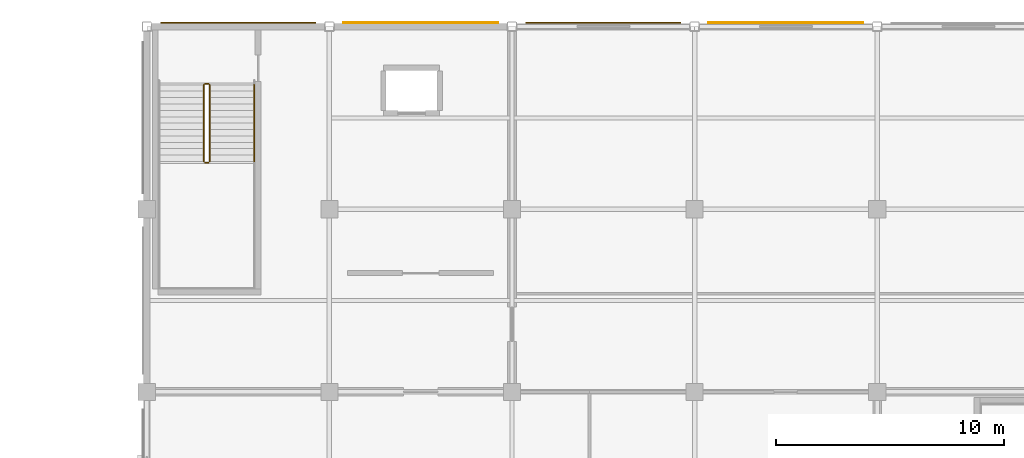
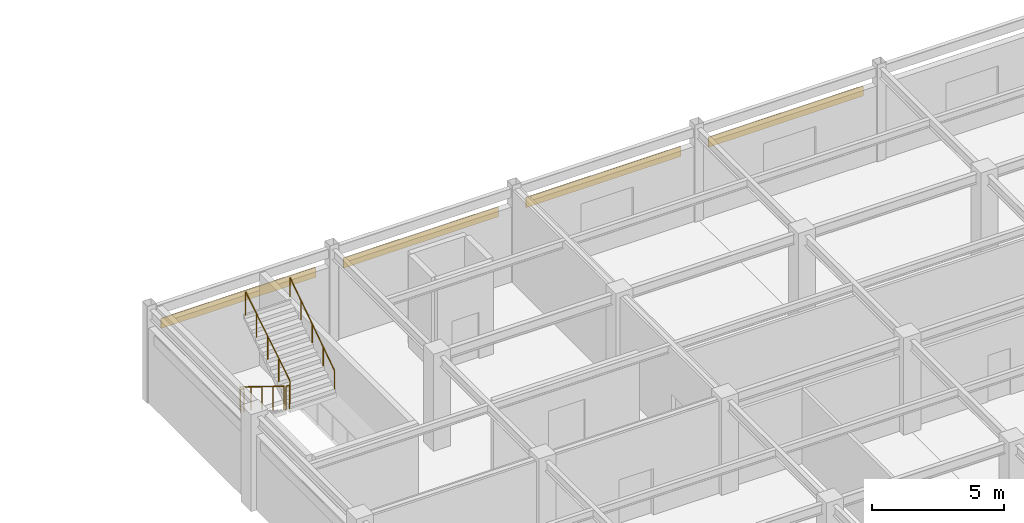
# One storey, part 76 of 78: 5 railings, 4 coverings.
"""IFC4 building model written with IfcOpenShell, lengths in metres."""

from ifc_helpers import new_model, si_unit, direction, frame, origin, origin_2d, place, context, subcontext, project, spatial, rectangle, circle, extrude, material, layer, layer_set, type_object, element, save


model = new_model("IFC4")

# Units and contexts
model_context = context("Model", 3, precision=1e-05, world=origin(), true_north=direction((0.0, 1.0)))
body_context = subcontext(model_context, "Body", "Model", "MODEL_VIEW")
ifc_project = project(units=[si_unit("LENGTHUNIT", "METRE"), si_unit("AREAUNIT", "SQUARE_METRE"), si_unit("VOLUMEUNIT", "CUBIC_METRE"), si_unit("PLANEANGLEUNIT", "RADIAN"), si_unit("MASSUNIT", "GRAM", prefix="KILO")], contexts=[model_context])

# Site, building, storey
site_placement = place(None, origin())
site = spatial("IfcSite", under=ifc_project, at=site_placement, CompositionType="ELEMENT")
building_placement = place(site_placement, origin())
building = spatial("IfcBuilding", under=site, at=building_placement, Name="Solmirada Galleria", CompositionType="ELEMENT")
storey_placement = place(building_placement, frame((0.0, 0.0, 23.89990234375)))
storey = spatial("IfcBuildingStorey", under=building, at=storey_placement, Name="L05", CompositionType="ELEMENT", Elevation=23.89990234375)

# Coverings
ifc_material_1 = material(Name="Limestone cladding panels", Category="masonry")
ifc_layer_1 = layer(ifc_material_1, 0.044921875)
ifc_layer_set_1 = layer_set([ifc_layer_1], Name="Limestone cladding panels")
covering_type_1 = type_object("IfcCoveringType", Name="COV-CLAD-LIME", PredefinedType="CLADDING", material=ifc_layer_set_1)
for number, where, z_axis, x_axis, name in (
    (1, (132.0, 120.16748046875, 2.990234375), (0.0, 0.0, 1.0), (1.0, 0.0, 0.0), "Postmodern facade cladding L05-370"),
    (2, (148.0, 120.16748046875, 2.990234375), (0.0, 0.0, 1.0), (1.0, 0.0, 0.0), "Postmodern facade cladding L05-372"),
):
    element("IfcCovering", number, at=place(storey_placement, frame(where, z_axis=z_axis, x_axis=x_axis)), inside=storey, type_object=covering_type_1, Name=name, PredefinedType="CLADDING", context=body_context, shape_type="SweptSolid", body=[
        extrude(rectangle(XDim=6.7939453125, YDim=0.044921875, at=origin_2d()), origin(), (0.0, 0.0, 1.0), 0.4599609375),
    ])
ifc_material_2 = material(Name="Glazed terracotta facade panels", Category="masonry")
ifc_layer_2 = layer(ifc_material_2, 0.0400390625)
ifc_layer_set_2 = layer_set([ifc_layer_2], Name="Glazed terracotta facade panels")
covering_type_2 = type_object("IfcCoveringType", Name="COV-CLAD-TERRA", PredefinedType="CLADDING", material=ifc_layer_set_2)
for number, where, z_axis, x_axis, name in (
    (3, (156.0, 120.1650390625, 2.990234375), (0.0, 0.0, 1.0), (1.0, 0.0, 0.0), "Postmodern facade cladding L05-353"),
    (4, (140.0, 120.1650390625, 2.990234375), (0.0, 0.0, 1.0), (1.0, 0.0, 0.0), "Postmodern facade cladding L05-371"),
):
    element("IfcCovering", number, at=place(storey_placement, frame(where, z_axis=z_axis, x_axis=x_axis)), inside=storey, type_object=covering_type_2, Name=name, PredefinedType="CLADDING", context=body_context, shape_type="SweptSolid", body=[
        extrude(rectangle(XDim=6.7939453125, YDim=0.0400390625, at=origin_2d()), origin(), (0.0, 0.0, 1.0), 0.4599609375),
    ])

# Railings
ifc_material_3 = material(Name="Painted steel tubular railing", Category="steel")
railing_type_1 = type_object("IfcRailingType", Name="RAIL-STAIR-GUARD", PredefinedType="GUARDRAIL", material=ifc_material_3)
railing_1_placement = place(storey_placement, frame((130.5, 117.449951171875, 0.173095703125)))
element("IfcRailing", 5, at=railing_1_placement, inside=storey, type_object=railing_type_1, Name="L05 ST3 stair guard 1", PredefinedType="GUARDRAIL", context=body_context, shape_type="SweptSolid", body=[
    extrude(circle(Radius=0.02392578125, at=origin_2d()), frame((0.0, 0.0, 1.076171875), z_axis=(0.0, -0.850606129759, 0.525803396734), x_axis=(1.0, 0.0, 0.0)), (0.0, 0.0, 1.0), 3.949951171875),
    extrude(circle(Radius=0.02099609375, at=origin_2d()), origin(), (0.0, 0.0, 1.0), 1.048095703125),
    extrude(circle(Radius=0.02099609375, at=origin_2d()), frame((0.0, -0.83984375, 0.519287109375)), (0.0, 0.0, 1.0), 1.048095703125),
    extrude(circle(Radius=0.02099609375, at=origin_2d()), frame((0.0, -1.679931640625, 1.03857421875)), (0.0, 0.0, 1.0), 1.048095703125),
    extrude(circle(Radius=0.02099609375, at=origin_2d()), frame((0.0, -2.52001953125, 1.5576171875)), (0.0, 0.0, 1.0), 1.048095703125),
    extrude(circle(Radius=0.02099609375, at=origin_2d()), frame((0.0, -3.35986328125, 2.076904296875)), (0.0, 0.0, 1.0), 1.048095703125),
])
railing_2_placement = place(storey_placement, frame((130.550048828125, 114.0400390625, 2.25)))
element("IfcRailing", 6, at=railing_2_placement, inside=storey, type_object=railing_type_1, Name="L05 ST3 stair guard 2", PredefinedType="GUARDRAIL", context=body_context, shape_type="SweptSolid", body=[
    extrude(circle(Radius=0.02392578125, at=origin_2d()), frame((0.0, 0.0, 1.076171875), z_axis=(1.0, 0.0, 0.0), x_axis=(0.0, 1.0, 0.0)), (0.0, 0.0, 1.0), 0.14990234375),
    extrude(circle(Radius=0.02099609375, at=origin_2d()), origin(), (0.0, 0.0, 1.0), 1.048095703125),
    extrude(circle(Radius=0.02099609375, at=origin_2d()), frame((0.14990234375, 0.0, 0.0)), (0.0, 0.0, 1.0), 1.048095703125),
])
railing_3_placement = place(storey_placement, frame((130.75, 114.090087890625, 2.423095703125)))
element("IfcRailing", 7, at=railing_3_placement, inside=storey, type_object=railing_type_1, Name="L05 ST3 stair guard 3", PredefinedType="GUARDRAIL", context=body_context, shape_type="SweptSolid", body=[
    extrude(circle(Radius=0.02392578125, at=origin_2d()), frame((0.0, 0.0, 1.076171875), z_axis=(0.0, 0.850606129759, 0.525803396734), x_axis=(-1.0, 0.0, 0.0)), (0.0, 0.0, 1.0), 3.949951171875),
    extrude(circle(Radius=0.02099609375, at=origin_2d()), origin(), (0.0, 0.0, 1.0), 1.048095703125),
    extrude(circle(Radius=0.02099609375, at=origin_2d()), frame((0.0, 0.83984375, 0.519287109375)), (0.0, 0.0, 1.0), 1.048095703125),
    extrude(circle(Radius=0.02099609375, at=origin_2d()), frame((0.0, 1.679931640625, 1.03857421875)), (0.0, 0.0, 1.0), 1.048095703125),
    extrude(circle(Radius=0.02099609375, at=origin_2d()), frame((0.0, 2.52001953125, 1.5576171875)), (0.0, 0.0, 1.0), 1.048095703125),
    extrude(circle(Radius=0.02099609375, at=origin_2d()), frame((0.0, 3.35986328125, 2.076904296875)), (0.0, 0.0, 1.0), 1.048095703125),
])
railing_4_placement = place(storey_placement, frame((130.550048828125, 117.5, 0.0)))
element("IfcRailing", 8, at=railing_4_placement, inside=storey, type_object=railing_type_1, Name="L05 ST3 stair guard 4", PredefinedType="GUARDRAIL", context=body_context, shape_type="SweptSolid", body=[
    extrude(circle(Radius=0.02392578125, at=origin_2d()), frame((0.0, 0.0, 1.076171875), z_axis=(1.0, 0.0, 0.0), x_axis=(0.0, 1.0, 0.0)), (0.0, 0.0, 1.0), 0.14990234375),
    extrude(circle(Radius=0.02099609375, at=origin_2d()), origin(), (0.0, 0.0, 1.0), 1.048095703125),
    extrude(circle(Radius=0.02099609375, at=origin_2d()), frame((0.14990234375, 0.0, 0.0)), (0.0, 0.0, 1.0), 1.048095703125),
])
railing_type_2 = type_object("IfcRailingType", Name="RAIL-STAIR-HAND", PredefinedType="HANDRAIL", material=ifc_material_3)
railing_5_placement = place(storey_placement, frame((132.699951171875, 114.090087890625, 2.423095703125)))
element("IfcRailing", 9, at=railing_5_placement, inside=storey, type_object=railing_type_2, Name="L05 ST3 stair handrail 2", PredefinedType="HANDRAIL", context=body_context, shape_type="SweptSolid", body=[
    extrude(circle(Radius=0.02392578125, at=origin_2d()), frame((0.0, 0.0, 0.8759765625), z_axis=(0.0, 0.830896709279, 0.556426687452), x_axis=(-1.0, 0.0, 0.0)), (0.0, 0.0, 1.0), 4.043701171875),
    extrude(circle(Radius=0.02099609375, at=origin_2d()), origin(), (0.0, 0.0, 1.0), 0.847900390625),
    extrude(circle(Radius=0.02099609375, at=origin_2d()), frame((0.0, 0.83984375, 0.5625)), (0.0, 0.0, 1.0), 0.847900390625),
    extrude(circle(Radius=0.02099609375, at=origin_2d()), frame((0.0, 1.679931640625, 1.125)), (0.0, 0.0, 1.0), 0.847900390625),
    extrude(circle(Radius=0.02099609375, at=origin_2d()), frame((0.0, 2.52001953125, 1.6875)), (0.0, 0.0, 1.0), 0.847900390625),
    extrude(circle(Radius=0.02099609375, at=origin_2d()), frame((0.0, 3.35986328125, 2.25)), (0.0, 0.0, 1.0), 0.847900390625),
])

save(model, "model.ifc")
